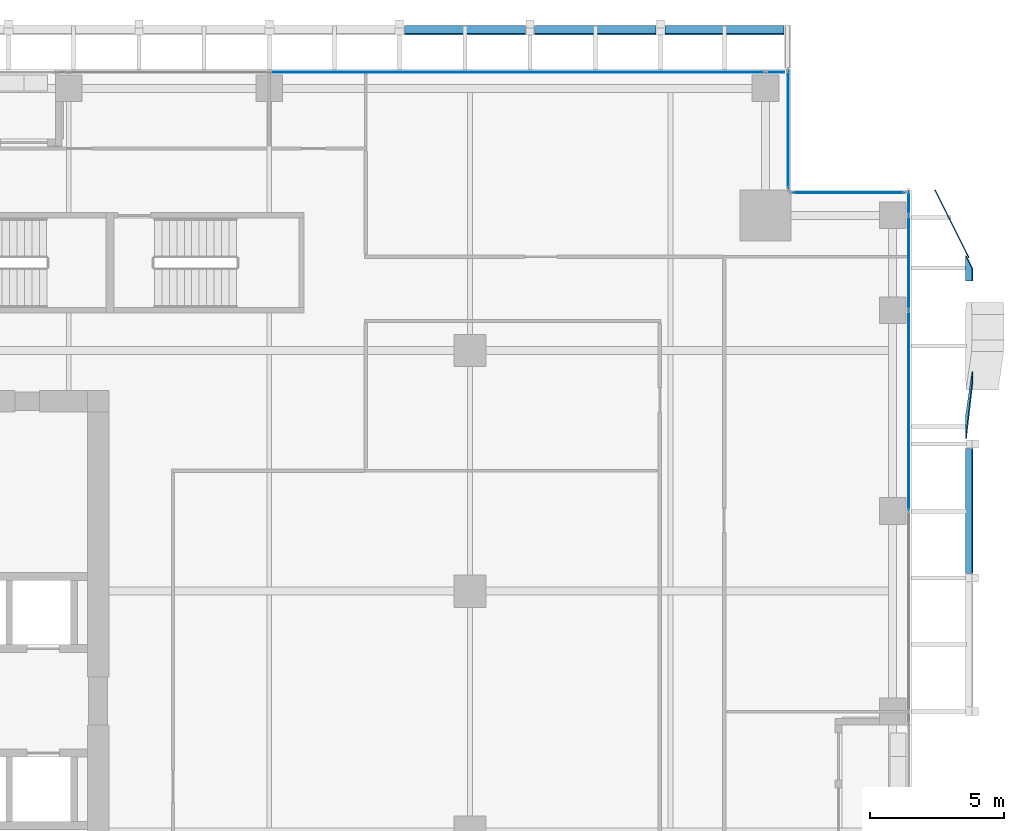
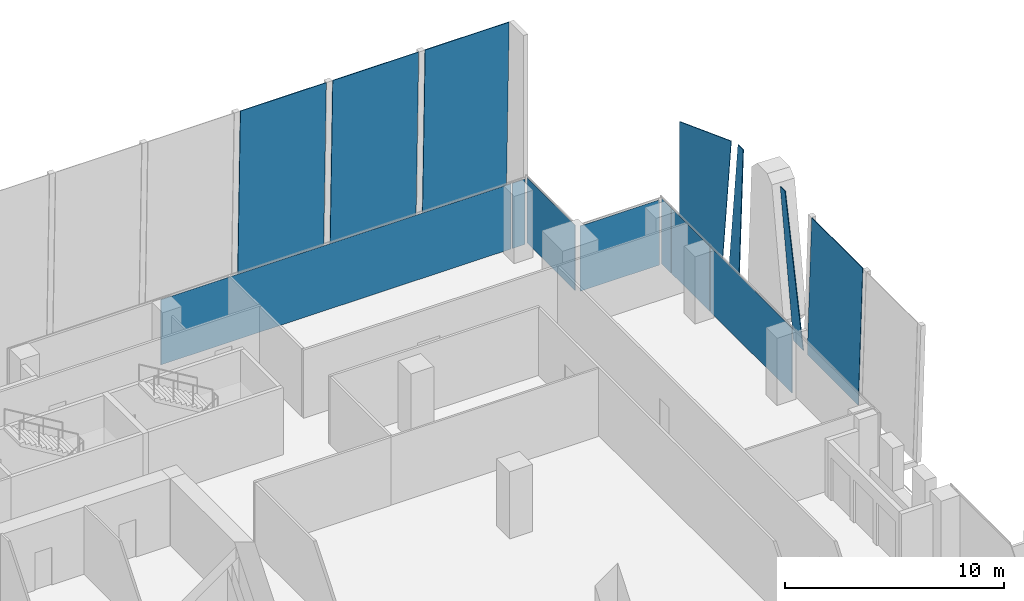
# One storey, part 27 of 35: 14 plates, 4 elements without a shape of their own.
"""IFC4 building model written with IfcOpenShell, lengths in metres."""

from ifc_helpers import new_model, si_unit, direction, frame, origin, origin_2d, place, context, subcontext, project, spatial, polyline, rectangle, outline, extrude, source, transform, mapped, material, layer, layer_set, type_object, element, aggregate, save


model = new_model("IFC4")

# Units and contexts
model_context = context("Model", 3, precision=1e-05, world=origin(), true_north=direction((0.0, 1.0)))
body_context = subcontext(model_context, "Body", "Model", "MODEL_VIEW")
ifc_project = project(units=[si_unit("LENGTHUNIT", "METRE"), si_unit("AREAUNIT", "SQUARE_METRE"), si_unit("VOLUMEUNIT", "CUBIC_METRE"), si_unit("PLANEANGLEUNIT", "RADIAN"), si_unit("MASSUNIT", "GRAM", prefix="KILO")], contexts=[model_context])

# Site, building, storey
site_placement = place(None, origin())
site = spatial("IfcSite", under=ifc_project, at=site_placement, CompositionType="ELEMENT")
building_placement = place(site_placement, origin())
building = spatial("IfcBuilding", under=site, at=building_placement, Name="Khomas Fold Tower", CompositionType="ELEMENT")
storey_placement = place(building_placement, frame((0.0, 0.0, 200.699951171875)))
storey = spatial("IfcBuildingStorey", under=building, at=storey_placement, Name="L44", CompositionType="ELEMENT", Elevation=200.699951171875)

# Plates
ifc_material_1 = material(Name="Clear laminated glass", Category="glass")
ifc_layer_1 = layer(ifc_material_1, 0.0400390625)
ifc_layer_set_1 = layer_set([ifc_layer_1], Name="Clear laminated glass")
plate_type_1 = type_object("IfcPlateType", Name="SK-Clear laminated glass leaf", PredefinedType="SHEET", material=ifc_layer_set_1)
plate_1_placement = place(storey_placement, frame((53.26318359375, 39.273193359375, 7.550048828125), z_axis=(-0.999510466622, 0.0, 0.031286212827), x_axis=(0.0, 1.0, 0.0)))
element("IfcPlate", 1, at=plate_1_placement, inside=storey, type_object=plate_type_1, Name="OUTER SKIN glass L44 EG105-3", PredefinedType="SHEET", context=body_context, shape_type="SweptSolid", body=[
    extrude(outline(polyline([(0.0, 0.0), (0.437255859375, 0.0), (-1.178466796875, 7.553746639233918), (-2.0751953125, 7.553746639233918), (0.0, 0.0)])), origin(), (0.0, 0.0, -1.0), 0.0400390625),
])
plate_2_placement = place(storey_placement, frame((53.26318359375, 36.830078125, 7.550048828125), z_axis=(-0.999510467228, 3.148082e-06, 0.031286193301), x_axis=(-0.031286193302, 1.2e-11, -0.999510467233)))
element("IfcPlate", 2, at=plate_2_placement, inside=storey, type_object=plate_type_1, Name="OUTER SKIN glass L44 EG104-8", PredefinedType="SHEET", context=body_context, shape_type="SweptSolid", body=[
    extrude(outline(polyline([(0.0, 0.0), (7.383007842151732, 1.0587911840678754e-22), (7.553746639233333, 0.04687500009426128), (7.553746639175907, 4.660156250071403), (-5.800959679512022e-11, 4.660156249976909), (0.0, 0.0)])), origin(), (0.0, 0.0, -1.0), 0.0400390625),
])
plate_3_placement = place(storey_placement, frame((53.26318359375, 43.10009765625, 7.550048828125), z_axis=(-0.999510466622, 0.0, 0.031286212827), x_axis=(0.0, 1.0, 0.0)))
element("IfcPlate", 3, at=plate_3_placement, inside=storey, type_object=plate_type_1, Name="OUTER SKIN glass L44 EG106-10", PredefinedType="SHEET", context=body_context, shape_type="SweptSolid", body=[
    extrude(outline(polyline([(0.0, 0.0), (0.472900390625, 0.0), (0.945556640625, 7.553746639233917), (0.0, 7.553746639233917), (0.0, 0.0)])), origin(), (0.0, 0.0, -1.0), 0.0400390625),
])
plate_4_placement = place(storey_placement, frame((52.9267578125, 44.446533203125, 0.0), z_axis=(0.894408117617, 0.447251740231, 1.492502e-06), x_axis=(0.031226476156, -0.062449623122, 0.997559497854)))
element("IfcPlate", 4, at=plate_4_placement, inside=storey, type_object=plate_type_1, Name="OUTER SKIN glass L44 EG106-11", PredefinedType="SHEET", context=body_context, shape_type="SweptSolid", body=[
    extrude(outline(polyline([(0.0, 0.0), (7.568519816996901, 1.1102230246251565e-16), (7.371319612389199, -2.8174531972417753), (-0.16030330536869997, -2.290297118220854), (0.0, 0.0)])), origin(), (0.0, 0.0, -1.0), 0.0400390625),
])
for number, where, z_axis, x_axis, name in (
    (5, (32.044921875, 52.642333984375, 0.0009765625), (0.0, 0.999657230839, 0.026180543005), (1.0, 0.0, 0.0), "OUTER SKIN glass L44 N11"),
    (6, (36.919921875, 52.642333984375, 0.0009765625), (0.0, 0.999657230839, 0.026180543005), (1.0, 0.0, 0.0), "OUTER SKIN glass L44 N13"),
):
    element("IfcPlate", number, at=place(storey_placement, frame(where, z_axis=z_axis, x_axis=x_axis)), inside=storey, type_object=plate_type_1, Name=name, PredefinedType="SHEET", context=body_context, shape_type="SweptSolid", body=[
        extrude(outline(polyline([(0.0, 0.0), (4.53515625, 0.0), (4.53515625, -11.554009186164079), (0.0, -11.554009186164079), (0.0, 0.0)])), origin(), (0.0, 0.0, -1.0), 0.0400390625),
    ])
plate_5_placement = place(storey_placement, frame((41.794921875, 52.642333984375, 0.0009765625), z_axis=(0.0, 0.999657230839, 0.026180543005), x_axis=(1.0, 0.0, 0.0)))
element("IfcPlate", 7, at=plate_5_placement, inside=storey, type_object=plate_type_1, Name="OUTER SKIN glass L44 N15", PredefinedType="SHEET", context=body_context, shape_type="SweptSolid", body=[
    extrude(outline(polyline([(0.0, 0.0), (4.43505859375, 0.0), (4.43505859375, -11.554009186164079), (0.0, -11.554009186164079), (0.0, 0.0)])), origin(), (0.0, 0.0, -1.0), 0.0400390625),
])

# Curtain wall, plate
ifc_material_2 = material(Name="Aluminium framed double glazing", Category="aluminium")
curtain_wall_type = type_object("IfcCurtainWallType", Name="SK-Unitised clear-glass wall, office floors CW2", PredefinedType="NOTDEFINED", material=ifc_material_2)
curtain_wall_1_placement = place(storey_placement, origin())
curtain_wall_1 = element("IfcCurtainWall", 8, at=curtain_wall_1_placement, inside=storey, type_object=curtain_wall_type, Name="CW2 corner return L44 05", PredefinedType="NOTDEFINED")
ifc_material_3 = material(Name="Clear double glazed unit")
ifc_layer_2 = layer(ifc_material_3, 0.030029296875)
ifc_layer_set_2 = layer_set([ifc_layer_2], Name="Clear double glazed unit")
plate_type_2 = type_object("IfcPlateType", Name="SK-Unitised clear-glass wall, office floors glass panel CW2-P", PredefinedType="CURTAIN_PANEL", material=ifc_layer_set_2)
shared_shape_1 = source(origin(), body_context, "Body", "SweptSolid", [
    extrude(rectangle(XDim=4.3798828125, YDim=0.030029296875, at=origin_2d()), origin(), (0.0, 0.0, 1.0), 3.639892578125),
])
plate_6_placement = place(storey_placement, frame((46.39990234375, 48.75, 0.0), z_axis=(0.0, 0.0, 1.0), x_axis=(0.0, 1.0, 0.0)))
plate_6 = element("IfcPlate", 9, at=plate_6_placement, type_object=plate_type_2, Name="CW2 glass panel 1", PredefinedType="CURTAIN_PANEL", context=body_context, shape_type="MappedRepresentation", body=[
    mapped(shared_shape_1, transform((0.0, 0.0, 0.0))),
])
aggregate(curtain_wall_1, [plate_6])

curtain_wall_2_placement = place(storey_placement, origin())
curtain_wall_2 = element("IfcCurtainWall", 10, at=curtain_wall_2_placement, inside=storey, type_object=curtain_wall_type, Name="CW2 run L44 06-0", PredefinedType="NOTDEFINED")
shared_shape_2 = source(origin(), body_context, "Body", "SweptSolid", [
    extrude(rectangle(XDim=0.659912109375, YDim=0.030029296875, at=origin_2d()), origin(), (0.0, 0.0, 1.0), 3.639892578125),
])
plate_7_placement = place(storey_placement, frame((45.909912109375, 50.89990234375, 0.0), z_axis=(0.0, 0.0, 1.0), x_axis=(-1.0, 0.0, 0.0)))
plate_7 = element("IfcPlate", 11, at=plate_7_placement, type_object=plate_type_2, Name="CW2 glass panel 1", PredefinedType="CURTAIN_PANEL", context=body_context, shape_type="MappedRepresentation", body=[
    mapped(shared_shape_2, transform((0.0, 0.0, 0.0))),
])

# Curtain wall, plates
curtain_wall_3_placement = place(storey_placement, origin())
curtain_wall_3 = element("IfcCurtainWall", 12, at=curtain_wall_3_placement, inside=storey, type_object=curtain_wall_type, Name="CW2 run L44 03-1", PredefinedType="NOTDEFINED")
shared_shape_3 = source(origin(), body_context, "Body", "SweptSolid", [
    extrude(rectangle(XDim=3.489990234375, YDim=0.030029296875, at=origin_2d()), origin(), (0.0, 0.0, 1.0), 3.639892578125),
])
plate_8_placement = place(storey_placement, frame((50.89990234375, 43.77490234375, 0.0), z_axis=(0.0, 0.0, 1.0), x_axis=(0.0, 1.0, 0.0)))
plate_8 = element("IfcPlate", 13, at=plate_8_placement, type_object=plate_type_2, Name="CW2 glass panel 4", PredefinedType="CURTAIN_PANEL", context=body_context, shape_type="MappedRepresentation", body=[
    mapped(shared_shape_3, transform((0.0, 0.0, 0.0))),
])
shared_shape_4 = source(origin(), body_context, "Body", "SweptSolid", [
    extrude(rectangle(XDim=7.43994140625, YDim=0.030029296875, at=origin_2d()), origin(), (0.0, 0.0, 1.0), 3.639892578125),
])
plate_9_placement = place(storey_placement, frame((50.89990234375, 38.25, 0.0), z_axis=(0.0, 0.0, 1.0), x_axis=(0.0, 1.0, 0.0)))
plate_9 = element("IfcPlate", 14, at=plate_9_placement, type_object=plate_type_2, Name="CW2 glass panel 3", PredefinedType="CURTAIN_PANEL", context=body_context, shape_type="MappedRepresentation", body=[
    mapped(shared_shape_4, transform((0.0, 0.0, 0.0))),
])

# Curtain wall, plate
curtain_wall_4_placement = place(storey_placement, origin())
curtain_wall_4 = element("IfcCurtainWall", 15, at=curtain_wall_4_placement, inside=storey, type_object=curtain_wall_type, Name="CW2 corner return L44 04", PredefinedType="NOTDEFINED")
shared_shape_5 = source(origin(), body_context, "Body", "SweptSolid", [
    extrude(rectangle(XDim=4.179931640625, YDim=0.030029296875, at=origin_2d()), origin(), (0.0, 0.0, 1.0), 3.639892578125),
])
plate_10_placement = place(storey_placement, frame((48.64990234375, 46.39990234375, 0.0), z_axis=(0.0, 0.0, 1.0), x_axis=(-1.0, 0.0, 0.0)))
plate_10 = element("IfcPlate", 16, at=plate_10_placement, type_object=plate_type_2, Name="CW2 glass panel 1", PredefinedType="CURTAIN_PANEL", context=body_context, shape_type="MappedRepresentation", body=[
    mapped(shared_shape_5, transform((0.0, 0.0, 0.0))),
])
aggregate(curtain_wall_4, [plate_10])

# Plate
shared_shape_6 = source(origin(), body_context, "Body", "SweptSolid", [
    extrude(rectangle(XDim=0.860107421875, YDim=0.030029296875, at=origin_2d()), origin(), (0.0, 0.0, 1.0), 3.639892578125),
])
plate_11_placement = place(storey_placement, frame((50.89990234375, 46.010009765625, 0.0), z_axis=(0.0, 0.0, 1.0), x_axis=(0.0, 1.0, 0.0)))
plate_11 = element("IfcPlate", 17, at=plate_11_placement, type_object=plate_type_2, Name="CW2 glass panel 5", PredefinedType="CURTAIN_PANEL", context=body_context, shape_type="MappedRepresentation", body=[
    mapped(shared_shape_6, transform((0.0, 0.0, 0.0))),
])

aggregate(curtain_wall_3, [plate_9, plate_8, plate_11])

shared_shape_7 = source(origin(), body_context, "Body", "SweptSolid", [
    extrude(rectangle(XDim=18.489990234375, YDim=0.030029296875, at=origin_2d()), origin(), (0.0, 0.0, 1.0), 3.639892578125),
])
plate_12_placement = place(storey_placement, frame((36.27490234375, 50.89990234375, 0.0), z_axis=(0.0, 0.0, 1.0), x_axis=(-1.0, 0.0, 0.0)))
plate_12 = element("IfcPlate", 18, at=plate_12_placement, type_object=plate_type_2, Name="CW2 glass panel 2", PredefinedType="CURTAIN_PANEL", context=body_context, shape_type="MappedRepresentation", body=[
    mapped(shared_shape_7, transform((0.0, 0.0, 0.0))),
])

aggregate(curtain_wall_2, [plate_7, plate_12])

save(model, "model.ifc")
